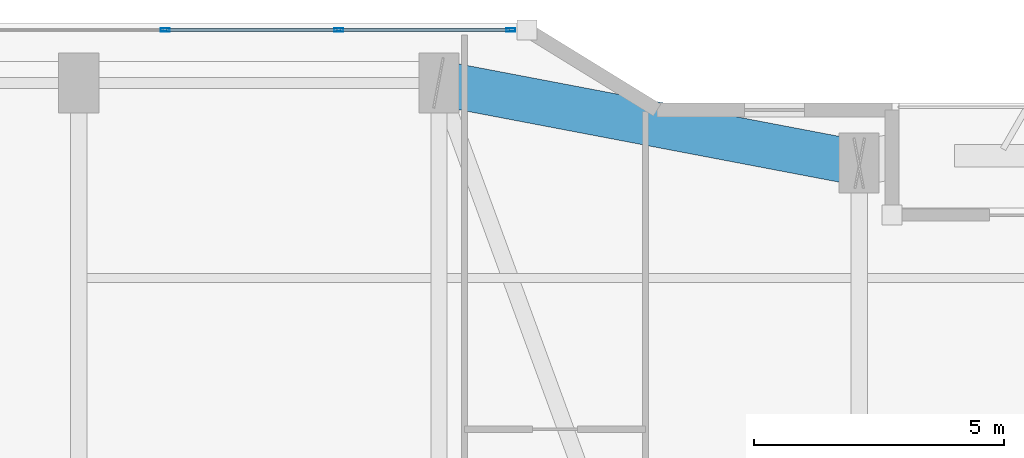
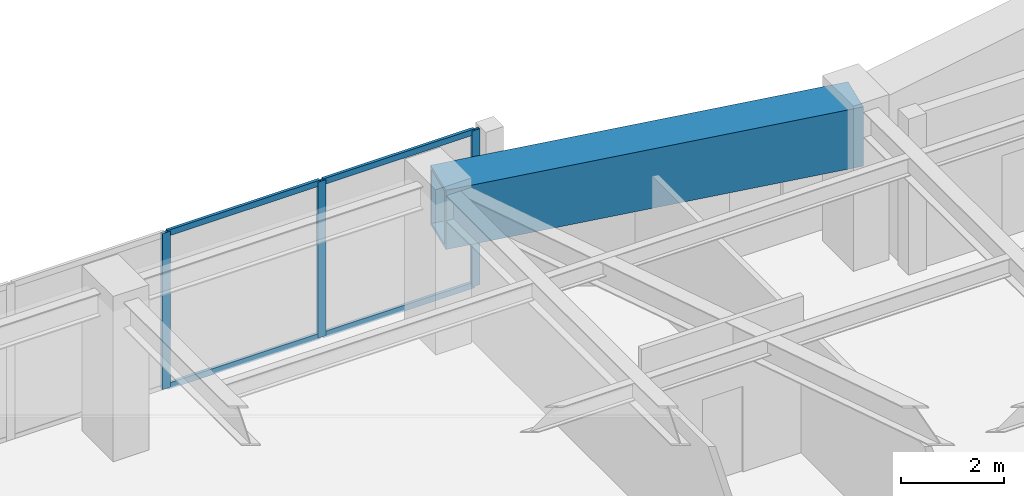
# One storey, part 19 of 30: 7 members, 1 beam, 1 element without a shape of its own.
"""IFC4 building model written with IfcOpenShell, lengths in metres."""

import ifcopenshell
import ifcopenshell.guid

model = None  # the IFC model being written
_history = None  # IfcOwnerHistory: only IFC2X3 demands one
_inside = {}  # id of a spatial element -> (the spatial element, [elements in it])
_under = {}  # id of a project, library or spatial element -> (it, [spatial elements below it])
_declared = {}  # id of a project -> (the project, [libraries it declares])
_typed = {}  # id of a type object -> (the type object, [elements of that type])
_made_of = {}  # id of a material, layer set ... -> (it, [elements and type objects made of it])


def new_model(schema):
    """Start an empty IFC model of exactly this schema.

    Asked for "IFC4X3", IfcOpenShell would pick the latest addendum, in which some entities
    have other attributes; the version numbers below select the first issue.
    IFC2X3 requires an IfcOwnerHistory on every rooted entity: one is made here for all.
    """
    global model, _history
    if schema == "IFC4X3":
        model = ifcopenshell.file(schema_version=(4, 3, 0, 0))
    else:
        model = ifcopenshell.file(schema=schema)
    _inside.clear()
    _under.clear()
    _declared.clear()
    _typed.clear()
    _made_of.clear()
    _history = None
    if model.schema == "IFC2X3":
        org = make("IfcOrganization", Name="unknown")
        user = make(
            "IfcPersonAndOrganization",
            ThePerson=make("IfcPerson", FamilyName="unknown"),
            TheOrganization=org,
        )
        app = make(
            "IfcApplication",
            ApplicationDeveloper=org,
            Version="unknown",
            ApplicationFullName="unknown",
            ApplicationIdentifier="unknown",
        )
        _history = make(
            "IfcOwnerHistory",
            OwningUser=user,
            OwningApplication=app,
            ChangeAction="ADDED",
            CreationDate=0,
        )
    return model


def make(cls, **values):
    """One entity of the class cls with the attributes given. An attribute that is None is left unset."""
    return model.create_entity(
        cls, **{name: value for name, value in values.items() if value is not None}
    )


def rooted(cls, **values):
    """An entity with a GlobalId (a new one), such as an element, a storey or a relation."""
    return make(cls, GlobalId=ifcopenshell.guid.new(), OwnerHistory=_history, **values)


def si_unit(unit_type, name, prefix=None):
    """IfcSIUnit, for example si_unit("LENGTHUNIT", "METRE", prefix="MILLI")."""
    return make("IfcSIUnit", UnitType=unit_type, Prefix=prefix, Name=name)


def assignment(units):
    """IfcUnitAssignment: the units of a project."""
    return None if units is None else make("IfcUnitAssignment", Units=units)


def point(xyz):
    """IfcCartesianPoint."""
    return None if xyz is None else make("IfcCartesianPoint", Coordinates=xyz)


def direction(xyz):
    """IfcDirection."""
    return None if xyz is None else make("IfcDirection", DirectionRatios=xyz)


def frame(location, z_axis=None, x_axis=None):
    """IfcAxis2Placement3D, a coordinate frame: its origin and axes. An axis left out is left unset."""
    return make(
        "IfcAxis2Placement3D",
        Location=point(location),
        Axis=direction(z_axis),
        RefDirection=direction(x_axis),
    )


def frame_2d(location, x_axis=None):
    """IfcAxis2Placement2D, a coordinate frame in the plane: its origin and x axis."""
    return make(
        "IfcAxis2Placement2D", Location=point(location), RefDirection=direction(x_axis)
    )


def origin():
    """The frame at (0, 0, 0) with its axes left unset."""
    return frame((0.0, 0.0, 0.0))


def origin_2d():
    """The frame at (0, 0) in the plane with its x axis left unset."""
    return frame_2d((0.0, 0.0))


def place(relative_to, where):
    """IfcLocalPlacement: puts the frame where relative to a parent placement (None: the world)."""
    return make(
        "IfcLocalPlacement", PlacementRelTo=relative_to, RelativePlacement=where
    )


def context(
    kind, dimensions, precision=None, world=None, true_north=None, identifier=None
):
    """IfcGeometricRepresentationContext, for example the 3D "Model" context."""
    return make(
        "IfcGeometricRepresentationContext",
        ContextIdentifier=identifier,
        ContextType=kind,
        CoordinateSpaceDimension=dimensions,
        Precision=precision,
        WorldCoordinateSystem=world,
        TrueNorth=true_north,
    )


def subcontext(parent, identifier, kind, view, scale=None):
    """IfcGeometricRepresentationSubContext, for example "Body" below "Model"."""
    return make(
        "IfcGeometricRepresentationSubContext",
        ContextIdentifier=identifier,
        ContextType=kind,
        ParentContext=parent,
        TargetScale=scale,
        TargetView=view,
    )


def project(units=None, contexts=None):
    """IfcProject with its units and contexts."""
    return rooted(
        "IfcProject",
        Name="project",
        RepresentationContexts=contexts,
        UnitsInContext=assignment(units),
    )


def spatial(cls, under=None, at=None, **own):
    """A site, building, storey or space (cls), placed at a placement, below another one or the project."""
    s = rooted(cls, ObjectPlacement=at, **own)
    if under is not None:
        _under.setdefault(under.id(), (under, []))[1].append(s)
    return s


def profile(cls, at=None, kind="AREA", **sizes):
    """A parametric profile (cls). Its sizes go by their IFC names, for example OverallWidth=200.0."""
    return make(cls, ProfileType=kind, Position=at, **sizes)


def hollow_rectangle(**sizes):
    """IfcRectangleHollowProfileDef."""
    return profile("IfcRectangleHollowProfileDef", **sizes)


def extrude(swept, where, along, depth):
    """IfcExtrudedAreaSolid: the profile swept, set in the frame where, extruded along a direction by depth."""
    return make(
        "IfcExtrudedAreaSolid",
        SweptArea=swept,
        Position=where,
        ExtrudedDirection=direction(along),
        Depth=depth,
    )


def shape(context_of_items, identifier, shape_type, items):
    """IfcShapeRepresentation: the items that make up one representation, for example the "Body"."""
    return make(
        "IfcShapeRepresentation",
        ContextOfItems=context_of_items,
        RepresentationIdentifier=identifier,
        RepresentationType=shape_type,
        Items=items,
    )


def material(Name=None, Category=None):
    """IfcMaterial."""
    return make("IfcMaterial", Name=Name, Category=Category)


def layer(
    of_material, thickness, ventilated=None, Name=None, Category=None, Priority=None
):
    """IfcMaterialLayer: one layer of a wall or slab, of a material (None: an air gap)."""
    return make(
        "IfcMaterialLayer",
        Material=of_material,
        LayerThickness=thickness,
        IsVentilated=ventilated,
        Name=Name,
        Category=Category,
        Priority=Priority,
    )


def layer_set(layers, Name=None):
    """IfcMaterialLayerSet."""
    return make("IfcMaterialLayerSet", MaterialLayers=layers, LayerSetName=Name)


def material_profile(
    of_material, cross_section, Name=None, Category=None, Priority=None
):
    """IfcMaterialProfile: a cross section and its material."""
    return make(
        "IfcMaterialProfile",
        Name=Name,
        Material=of_material,
        Profile=cross_section,
        Priority=Priority,
        Category=Category,
    )


def profile_set(profiles, Name=None, composite=None):
    """IfcMaterialProfileSet."""
    return make(
        "IfcMaterialProfileSet",
        Name=Name,
        MaterialProfiles=profiles,
        CompositeProfile=composite,
    )


def made_of(thing, what):
    """Note that an element or type object is made of a material, layer set ...; save() writes the relation."""
    if what is not None:
        _made_of.setdefault(what.id(), (what, []))[1].append(thing)
    return thing


def type_object(cls, material=None, **own):
    """A type object (cls), such as IfcWallType, which elements share."""
    return made_of(rooted(cls, **own), material)


def element(
    cls,
    number,
    at=None,
    inside=None,
    cuts=None,
    type_object=None,
    material=None,
    context=None,
    identifier="Body",
    shape_type=None,
    held_by="IfcProductDefinitionShape",
    body=None,
    shapes=None,
    **own,
):
    """One element of the class cls, such as IfcWall. Its Tag is "e" and its number.

    at: its placement. inside: the storey or other place that contains it. cuts: it is an
    opening in that element (IfcRelVoidsElement). A single representation is given by context,
    identifier, shape_type and body (its items); several are given by shapes. held_by: the class
    of the entity that holds the representations. save() writes the other relations.
    """
    e = rooted(cls, Tag="e%d" % number, ObjectPlacement=at, **own)
    if body is not None:
        shapes = [shape(context, identifier, shape_type, body)]
    if shapes is not None:
        e.Representation = make(held_by, Representations=shapes)
    if inside is not None:
        _inside.setdefault(inside.id(), (inside, []))[1].append(e)
    if cuts is not None:
        rooted(
            "IfcRelVoidsElement", RelatingBuildingElement=cuts, RelatedOpeningElement=e
        )
    if type_object is not None:
        _typed.setdefault(type_object.id(), (type_object, []))[1].append(e)
    return made_of(e, material)


def aggregate(whole, parts):
    """IfcRelAggregates: a whole, such as a stair, and the parts it consists of."""
    return rooted("IfcRelAggregates", RelatingObject=whole, RelatedObjects=parts)


def save(model, path):
    """Write the relations noted so far, then the file.

    IfcRelAggregates (storeys below a building ...), IfcRelContainedInSpatialStructure (elements
    in a storey), IfcRelDefinesByType, IfcRelAssociatesMaterial and IfcRelDeclares: one each for
    every whole, place, type object, material and project.
    """
    for whole, parts in _under.values():
        aggregate(whole, parts)
    for where, things in _inside.values():
        rooted(
            "IfcRelContainedInSpatialStructure",
            RelatedElements=things,
            RelatingStructure=where,
        )
    for kind, things in _typed.values():
        rooted("IfcRelDefinesByType", RelatedObjects=things, RelatingType=kind)
    for what, things in _made_of.values():
        rooted("IfcRelAssociatesMaterial", RelatedObjects=things, RelatingMaterial=what)
    for by, libraries in _declared.values():
        rooted("IfcRelDeclares", RelatingContext=by, RelatedDefinitions=libraries)
    model.write(path)


model = new_model("IFC4")

# Units and contexts
model_context = context("Model", 3, precision=1e-05, world=origin(), true_north=direction((0.0, 1.0)))
body_context = subcontext(model_context, "Body", "Model", "MODEL_VIEW")
ifc_project = project(units=[si_unit("LENGTHUNIT", "METRE"), si_unit("AREAUNIT", "SQUARE_METRE"), si_unit("VOLUMEUNIT", "CUBIC_METRE"), si_unit("PLANEANGLEUNIT", "RADIAN"), si_unit("MASSUNIT", "GRAM", prefix="KILO")], contexts=[model_context])

# Site, building, storey
site_placement = place(None, origin())
site = spatial("IfcSite", under=ifc_project, at=site_placement, CompositionType="ELEMENT")
building_placement = place(site_placement, origin())
building = spatial("IfcBuilding", under=site, at=building_placement, Name="Kiyonajd Concourse Tower", CompositionType="ELEMENT")
storey_placement = place(building_placement, frame((0.0, 0.0, 154.5)))
storey = spatial("IfcBuildingStorey", under=building, at=storey_placement, Name="L39", CompositionType="ELEMENT", Elevation=154.5)

# Beam
ifc_material_1 = material(Name="Steel ASTM A572 Grade 50", Category="steel")
ifc_material_profile_1 = material_profile(ifc_material_1, hollow_rectangle(XDim=0.89990234375, YDim=1.39990234375, WallThickness=0.070068359375, at=origin_2d()), Name="BOX-1400x900x70")
ifc_profile_set_1 = profile_set([ifc_material_profile_1], Name="Steel ASTM A572 Grade 50")
beam_type = type_object("IfcBeamType", Name="BM-XFER-1400", PredefinedType="BEAM", material=ifc_profile_set_1)
beam_placement = place(storey_placement, frame((48.0, 59.60009765625, 2.97998046875), z_axis=(-0.982341315253, 0.187097675953, 0.0), x_axis=(-0.187097675953, -0.982341315253, 0.0)))
element("IfcBeam", 1, at=beam_placement, inside=storey, type_object=beam_type, Name="L39 Perimeter Bundled Tube Spandrel", PredefinedType="BEAM", context=body_context, shape_type="SweptSolid", body=[
    extrude(hollow_rectangle(XDim=0.89990234375, YDim=1.39990234375, WallThickness=0.070068359375, at=origin_2d()), origin(), (0.0, 0.0, 1.0), 8.55078125),
])

# Curtain wall, members
ifc_material_2 = material(Name="Thermally Broken Anodised Aluminium", Category="aluminium")
ifc_layer = layer(ifc_material_2, 0.179931640625)
ifc_layer_set = layer_set([ifc_layer], Name="Thermally Broken Anodised Aluminium")
curtain_wall_type = type_object("IfcCurtainWallType", Name="CW-SYS-03", PredefinedType="NOTDEFINED", material=ifc_layer_set)
curtain_wall_placement = place(storey_placement, origin())
curtain_wall = element("IfcCurtainWall", 2, at=curtain_wall_placement, inside=storey, type_object=curtain_wall_type, Name="L39 Unitised Curtain Wall CW3", PredefinedType="NOTDEFINED")
ifc_material_profile_2 = material_profile(ifc_material_2, hollow_rectangle(XDim=0.06494140625, YDim=0.179931640625, WallThickness=0.00390625, at=origin_2d()), Name="MULL-65x180")
ifc_profile_set_2 = profile_set([ifc_material_profile_2], Name="Thermally Broken Anodised Aluminium")
member_type_1 = type_object("IfcMemberType", Name="MB-CW-MULL1", PredefinedType="MULLION", material=ifc_profile_set_2)
member_1_placement = place(storey_placement, frame((34.12548828125, 62.260009765625, 0.0), z_axis=(0.0, 0.0, 1.0), x_axis=(0.0, 1.0, 0.0)))
member_1 = element("IfcMember", 3, at=member_1_placement, type_object=member_type_1, Name="CW3 mullion 4", PredefinedType="MULLION", context=body_context, shape_type="SweptSolid", body=[
    extrude(hollow_rectangle(XDim=0.06494140625, YDim=0.179931640625, WallThickness=0.00390625, at=origin_2d()), origin(), (0.0, 0.0, 1.0), 3.679931640625),
])
member_2_placement = place(storey_placement, frame((37.597900390625, 62.260009765625, 0.0), z_axis=(0.0, 0.0, 1.0), x_axis=(0.0, 1.0, 0.0)))
member_2 = element("IfcMember", 4, at=member_2_placement, type_object=member_type_1, Name="CW3 mullion 5", PredefinedType="MULLION", context=body_context, shape_type="SweptSolid", body=[
    extrude(hollow_rectangle(XDim=0.06494140625, YDim=0.179931640625, WallThickness=0.00390625, at=origin_2d()), origin(), (0.0, 0.0, 1.0), 3.679931640625),
])
member_3_placement = place(storey_placement, frame((41.037841796875, 62.260009765625, 0.0), z_axis=(0.0, 0.0, 1.0), x_axis=(0.0, 1.0, 0.0)))
member_3 = element("IfcMember", 5, at=member_3_placement, type_object=member_type_1, Name="CW3 mullion 6", PredefinedType="MULLION", context=body_context, shape_type="SweptSolid", body=[
    extrude(hollow_rectangle(XDim=0.06494140625, YDim=0.179931640625, WallThickness=0.00390625, at=origin_2d()), origin(), (0.0, 0.0, 1.0), 3.679931640625),
])
ifc_material_profile_3 = material_profile(ifc_material_2, hollow_rectangle(XDim=0.06494140625, YDim=0.139892578125, WallThickness=0.00390625, at=origin_2d()), Name="TRAN-65x140")
ifc_profile_set_3 = profile_set([ifc_material_profile_3], Name="Thermally Broken Anodised Aluminium")
member_type_2 = type_object("IfcMemberType", Name="MB-CW-TRAN1", PredefinedType="USERDEFINED", material=ifc_profile_set_3)
member_4_placement = place(storey_placement, frame((34.158203125, 62.260009765625, 0.032470703125), z_axis=(1.0, 0.0, 0.0), x_axis=(0.0, 1.0, 0.0)))
member_4 = element("IfcMember", 6, at=member_4_placement, type_object=member_type_2, Name="CW3 transom 4.1", ObjectType="TRANSOM", PredefinedType="USERDEFINED", context=body_context, shape_type="SweptSolid", body=[
    extrude(hollow_rectangle(XDim=0.06494140625, YDim=0.139892578125, WallThickness=0.00390625, at=origin_2d()), origin(), (0.0, 0.0, 1.0), 3.4072265625),
])
member_5_placement = place(storey_placement, frame((34.158203125, 62.260009765625, 3.6474609375), z_axis=(1.0, 0.0, 0.0), x_axis=(0.0, 1.0, 0.0)))
member_5 = element("IfcMember", 7, at=member_5_placement, type_object=member_type_2, Name="CW3 transom 4.2", ObjectType="TRANSOM", PredefinedType="USERDEFINED", context=body_context, shape_type="SweptSolid", body=[
    extrude(hollow_rectangle(XDim=0.06494140625, YDim=0.139892578125, WallThickness=0.00390625, at=origin_2d()), origin(), (0.0, 0.0, 1.0), 3.4072265625),
])
member_6_placement = place(storey_placement, frame((37.630615234375, 62.260009765625, 0.032470703125), z_axis=(1.0, 0.0, 0.0), x_axis=(0.0, 1.0, 0.0)))
member_6 = element("IfcMember", 8, at=member_6_placement, type_object=member_type_2, Name="CW3 transom 5.1", ObjectType="TRANSOM", PredefinedType="USERDEFINED", context=body_context, shape_type="SweptSolid", body=[
    extrude(hollow_rectangle(XDim=0.06494140625, YDim=0.139892578125, WallThickness=0.00390625, at=origin_2d()), origin(), (0.0, 0.0, 1.0), 3.374755859375),
])
member_7_placement = place(storey_placement, frame((37.630615234375, 62.260009765625, 3.6474609375), z_axis=(1.0, 0.0, 0.0), x_axis=(0.0, 1.0, 0.0)))
member_7 = element("IfcMember", 9, at=member_7_placement, type_object=member_type_2, Name="CW3 transom 5.2", ObjectType="TRANSOM", PredefinedType="USERDEFINED", context=body_context, shape_type="SweptSolid", body=[
    extrude(hollow_rectangle(XDim=0.06494140625, YDim=0.139892578125, WallThickness=0.00390625, at=origin_2d()), origin(), (0.0, 0.0, 1.0), 3.374755859375),
])
aggregate(curtain_wall, [member_1, member_2, member_3, member_4, member_5, member_6, member_7])

save(model, "model.ifc")
